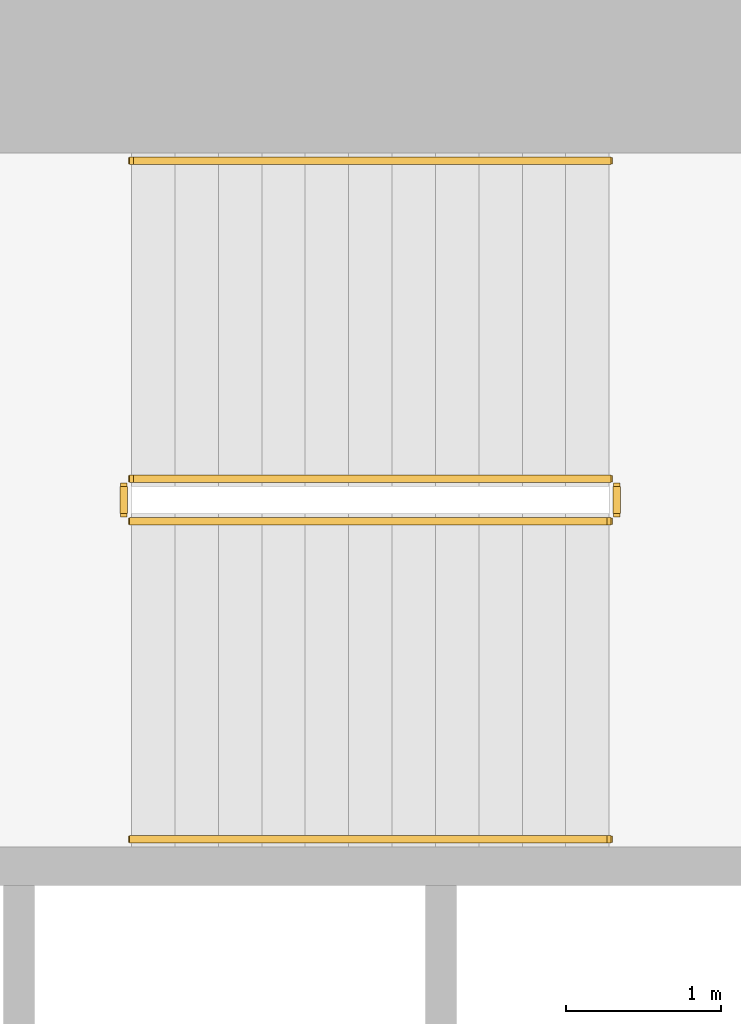
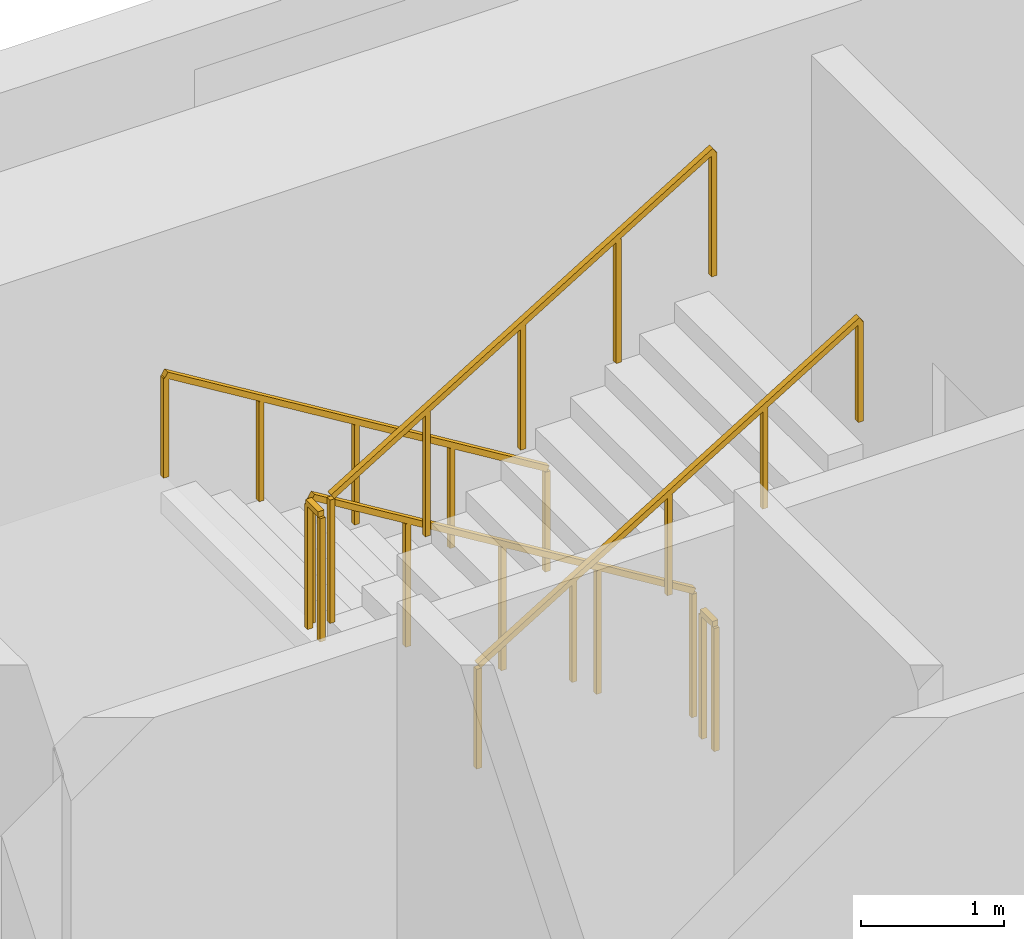
# One storey, part 13 of 14: 6 railings.
"""IFC4 building model written with IfcOpenShell, lengths in metres."""

from ifc_helpers import new_model, si_unit, direction, frame, origin, origin_2d, place, context, subcontext, project, spatial, rectangle, extrude, material, type_object, element, save


model = new_model("IFC4")

# Units and contexts
model_context = context("Model", 3, precision=1e-05, world=origin(), true_north=direction((0.0, 1.0)))
body_context = subcontext(model_context, "Body", "Model", "MODEL_VIEW")
ifc_project = project(units=[si_unit("LENGTHUNIT", "METRE"), si_unit("AREAUNIT", "SQUARE_METRE"), si_unit("VOLUMEUNIT", "CUBIC_METRE"), si_unit("PLANEANGLEUNIT", "RADIAN"), si_unit("MASSUNIT", "GRAM", prefix="KILO")], contexts=[model_context])

# Site, building, storey
site_placement = place(None, origin())
site = spatial("IfcSite", under=ifc_project, at=site_placement, CompositionType="ELEMENT")
building_placement = place(site_placement, origin())
building = spatial("IfcBuilding", under=site, at=building_placement, Name="Cypress Arch Tower", CompositionType="ELEMENT")
storey_placement = place(building_placement, frame((0.0, 0.0, 263.89990234375)))
storey = spatial("IfcBuildingStorey", under=building, at=storey_placement, Name="L59", CompositionType="ELEMENT", Elevation=263.89990234375)

# Railings
ifc_material_1 = material(Name="Black powder-coated steel square bar 48 mm", Category="steel")
railing_type_1 = type_object("IfcRailingType", Name="Stair handrail HR1", PredefinedType="HANDRAIL", material=ifc_material_1)
railing_1_placement = place(storey_placement, frame((-22.27490234375, 14.75, 0.1708984375)))
element("IfcRailing", 1, at=railing_1_placement, inside=storey, type_object=railing_type_1, Name="L59 B stair handrail 1", PredefinedType="HANDRAIL", context=body_context, shape_type="SweptSolid", body=[
    extrude(rectangle(XDim=0.048095703125, YDim=0.048095703125, at=origin_2d()), frame((0.0, 0.0, 0.8759765625), z_axis=(-0.853666305674, 0.0, 0.52082035152), x_axis=(0.0, -1.0, 0.0)), (0.0, 0.0, 1.0), 3.608154296875),
    extrude(rectangle(XDim=0.0419921875, YDim=0.0419921875, at=origin_2d()), origin(), (0.0, 0.0, 1.0), 0.851806640625),
    extrude(rectangle(XDim=0.0419921875, YDim=0.0419921875, at=origin_2d()), frame((-0.77001953125, 0.0, 0.4697265625)), (0.0, 0.0, 1.0), 0.851806640625),
    extrude(rectangle(XDim=0.0419921875, YDim=0.0419921875, at=origin_2d()), frame((-1.5400390625, 0.0, 0.939453125)), (0.0, 0.0, 1.0), 0.851806640625),
    extrude(rectangle(XDim=0.0419921875, YDim=0.0419921875, at=origin_2d()), frame((-2.31005859375, 0.0, 1.409423828125)), (0.0, 0.0, 1.0), 0.851806640625),
    extrude(rectangle(XDim=0.0419921875, YDim=0.0419921875, at=origin_2d()), frame((-3.080078125, 0.0, 1.879150390625)), (0.0, 0.0, 1.0), 0.851806640625),
])
railing_2_placement = place(storey_placement, frame((-25.35498046875, 10.375, 2.220947265625)))
element("IfcRailing", 2, at=railing_2_placement, inside=storey, type_object=railing_type_1, Name="L59 B stair handrail 2", PredefinedType="HANDRAIL", context=body_context, shape_type="SweptSolid", body=[
    extrude(rectangle(XDim=0.048095703125, YDim=0.048095703125, at=origin_2d()), frame((0.0, 0.0, 0.8759765625), z_axis=(0.853666305674, 0.0, 0.52082035152), x_axis=(0.0, 1.0, 0.0)), (0.0, 0.0, 1.0), 3.608154296875),
    extrude(rectangle(XDim=0.0419921875, YDim=0.0419921875, at=origin_2d()), origin(), (0.0, 0.0, 1.0), 0.851806640625),
    extrude(rectangle(XDim=0.0419921875, YDim=0.0419921875, at=origin_2d()), frame((0.77001953125, 0.0, 0.4697265625)), (0.0, 0.0, 1.0), 0.851806640625),
    extrude(rectangle(XDim=0.0419921875, YDim=0.0419921875, at=origin_2d()), frame((1.5400390625, 0.0, 0.939453125)), (0.0, 0.0, 1.0), 0.851806640625),
    extrude(rectangle(XDim=0.0419921875, YDim=0.0419921875, at=origin_2d()), frame((2.31005859375, 0.0, 1.409423828125)), (0.0, 0.0, 1.0), 0.851806640625),
    extrude(rectangle(XDim=0.0419921875, YDim=0.0419921875, at=origin_2d()), frame((3.080078125, 0.0, 1.879150390625)), (0.0, 0.0, 1.0), 0.851806640625),
])
ifc_material_2 = material(Name="Black powder-coated steel balusters", Category="steel")
railing_type_2 = type_object("IfcRailingType", Name="Stair well guard G1", PredefinedType="GUARDRAIL", material=ifc_material_2)
railing_3_placement = place(storey_placement, frame((-22.27490234375, 12.699951171875, 0.1708984375)))
element("IfcRailing", 3, at=railing_3_placement, inside=storey, type_object=railing_type_2, Name="L59 B stair guard 1", PredefinedType="GUARDRAIL", context=body_context, shape_type="SweptSolid", body=[
    extrude(rectangle(XDim=0.048095703125, YDim=0.048095703125, at=origin_2d()), frame((0.0, 0.0, 1.076171875), z_axis=(-0.853666305674, 0.0, 0.52082035152), x_axis=(0.0, -1.0, 0.0)), (0.0, 0.0, 1.0), 3.608154296875),
    extrude(rectangle(XDim=0.0419921875, YDim=0.0419921875, at=origin_2d()), origin(), (0.0, 0.0, 1.0), 1.052001953125),
    extrude(rectangle(XDim=0.0419921875, YDim=0.0419921875, at=origin_2d()), frame((-0.77001953125, 0.0, 0.4697265625)), (0.0, 0.0, 1.0), 1.052001953125),
    extrude(rectangle(XDim=0.0419921875, YDim=0.0419921875, at=origin_2d()), frame((-1.5400390625, 0.0, 0.939453125)), (0.0, 0.0, 1.0), 1.052001953125),
    extrude(rectangle(XDim=0.0419921875, YDim=0.0419921875, at=origin_2d()), frame((-2.31005859375, 0.0, 1.409423828125)), (0.0, 0.0, 1.0), 1.052001953125),
    extrude(rectangle(XDim=0.0419921875, YDim=0.0419921875, at=origin_2d()), frame((-3.080078125, 0.0, 1.879150390625)), (0.0, 0.0, 1.0), 1.052001953125),
])
railing_4_placement = place(storey_placement, frame((-25.405029296875, 12.64990234375, 2.050048828125)))
element("IfcRailing", 4, at=railing_4_placement, inside=storey, type_object=railing_type_2, Name="L59 B stair guard 2", PredefinedType="GUARDRAIL", context=body_context, shape_type="SweptSolid", body=[
    extrude(rectangle(XDim=0.048095703125, YDim=0.048095703125, at=origin_2d()), frame((0.0, 0.0, 1.076171875), z_axis=(0.0, -1.0, 0.0), x_axis=(1.0, 0.0, 0.0)), (0.0, 0.0, 1.0), 0.1748046875),
    extrude(rectangle(XDim=0.0419921875, YDim=0.0419921875, at=origin_2d()), origin(), (0.0, 0.0, 1.0), 1.052001953125),
    extrude(rectangle(XDim=0.0419921875, YDim=0.0419921875, at=origin_2d()), frame((0.0, -0.1748046875, 0.0)), (0.0, 0.0, 1.0), 1.052001953125),
])
railing_5_placement = place(storey_placement, frame((-25.35498046875, 12.425048828125, 2.220947265625)))
element("IfcRailing", 5, at=railing_5_placement, inside=storey, type_object=railing_type_2, Name="L59 B stair guard 3", PredefinedType="GUARDRAIL", context=body_context, shape_type="SweptSolid", body=[
    extrude(rectangle(XDim=0.048095703125, YDim=0.048095703125, at=origin_2d()), frame((0.0, 0.0, 1.076171875), z_axis=(0.853666305674, 0.0, 0.52082035152), x_axis=(0.0, 1.0, 0.0)), (0.0, 0.0, 1.0), 3.608154296875),
    extrude(rectangle(XDim=0.0419921875, YDim=0.0419921875, at=origin_2d()), origin(), (0.0, 0.0, 1.0), 1.052001953125),
    extrude(rectangle(XDim=0.0419921875, YDim=0.0419921875, at=origin_2d()), frame((0.77001953125, 0.0, 0.4697265625)), (0.0, 0.0, 1.0), 1.052001953125),
    extrude(rectangle(XDim=0.0419921875, YDim=0.0419921875, at=origin_2d()), frame((1.5400390625, 0.0, 0.939453125)), (0.0, 0.0, 1.0), 1.052001953125),
    extrude(rectangle(XDim=0.0419921875, YDim=0.0419921875, at=origin_2d()), frame((2.31005859375, 0.0, 1.409423828125)), (0.0, 0.0, 1.0), 1.052001953125),
    extrude(rectangle(XDim=0.0419921875, YDim=0.0419921875, at=origin_2d()), frame((3.080078125, 0.0, 1.879150390625)), (0.0, 0.0, 1.0), 1.052001953125),
])
railing_6_placement = place(storey_placement, frame((-22.22509765625, 12.64990234375, 0.0)))
element("IfcRailing", 6, at=railing_6_placement, inside=storey, type_object=railing_type_2, Name="L59 B stair guard 4", PredefinedType="GUARDRAIL", context=body_context, shape_type="SweptSolid", body=[
    extrude(rectangle(XDim=0.048095703125, YDim=0.048095703125, at=origin_2d()), frame((0.0, 0.0, 1.076171875), z_axis=(0.0, -1.0, 0.0), x_axis=(1.0, 0.0, 0.0)), (0.0, 0.0, 1.0), 0.1748046875),
    extrude(rectangle(XDim=0.0419921875, YDim=0.0419921875, at=origin_2d()), origin(), (0.0, 0.0, 1.0), 1.052001953125),
    extrude(rectangle(XDim=0.0419921875, YDim=0.0419921875, at=origin_2d()), frame((0.0, -0.1748046875, 0.0)), (0.0, 0.0, 1.0), 1.052001953125),
])

save(model, "model.ifc")
